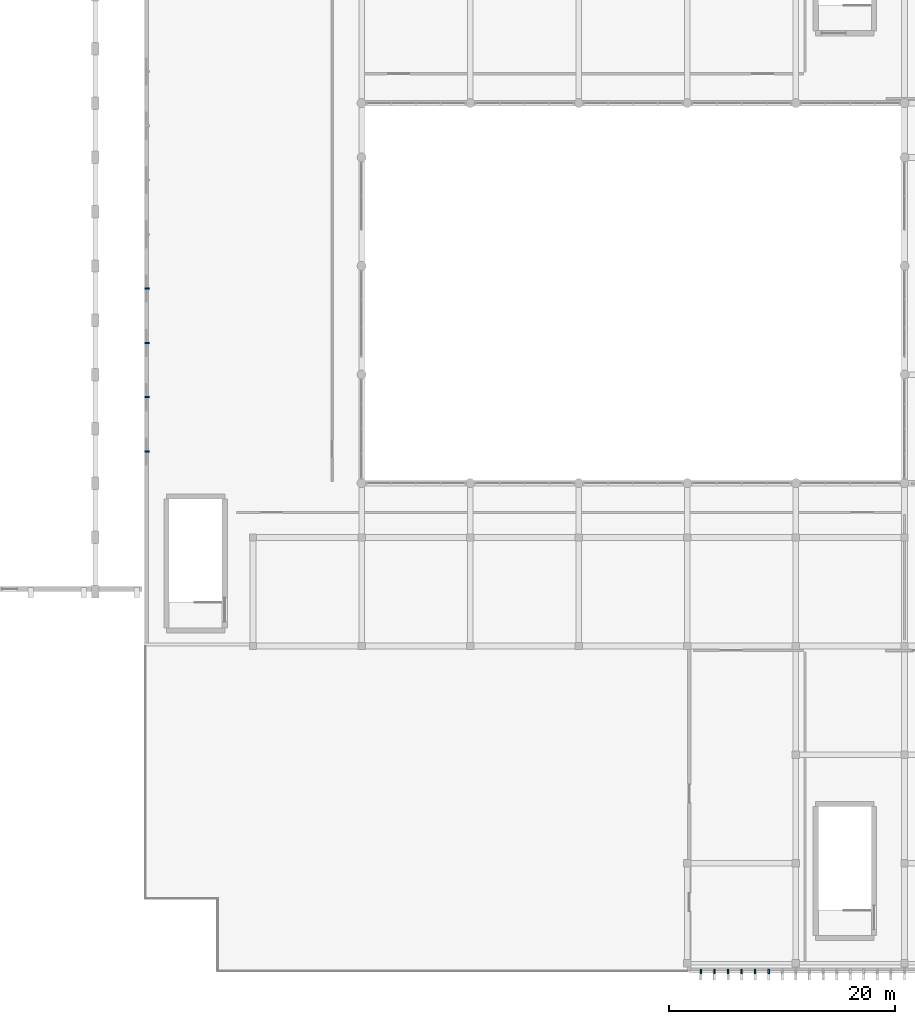
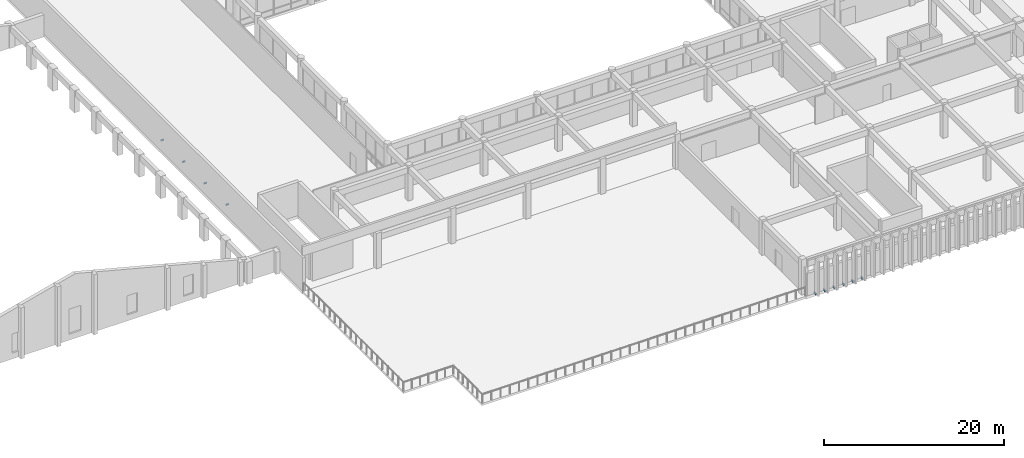
# One storey, part 84 of 101: 10 discrete accessories.
"""IFC4 building model written with IfcOpenShell, lengths in metres."""

from ifc_helpers import new_model, si_unit, direction, frame, origin, origin_2d, place, context, subcontext, project, spatial, rectangle, extrude, material, type_object, element, save


model = new_model("IFC4")

# Units and contexts
model_context = context("Model", 3, precision=1e-05, world=origin(), true_north=direction((0.0, 1.0)))
body_context = subcontext(model_context, "Body", "Model", "MODEL_VIEW")
ifc_project = project(units=[si_unit("LENGTHUNIT", "METRE"), si_unit("AREAUNIT", "SQUARE_METRE"), si_unit("VOLUMEUNIT", "CUBIC_METRE"), si_unit("PLANEANGLEUNIT", "RADIAN"), si_unit("MASSUNIT", "GRAM", prefix="KILO")], contexts=[model_context])

# Site, building, storey
site_placement = place(None, origin())
site = spatial("IfcSite", under=ifc_project, at=site_placement, CompositionType="ELEMENT")
building_placement = place(site_placement, origin())
building = spatial("IfcBuilding", under=site, at=building_placement, Name="Nakhvara Creek Congress Hotel", CompositionType="ELEMENT")
storey_placement = place(building_placement, frame((0.0, 0.0, 16.199951171875)))
storey = spatial("IfcBuildingStorey", under=building, at=storey_placement, Name="L03", CompositionType="ELEMENT", Elevation=16.199951171875)

# Discrete accessories
ifc_material = material(Name="Brushed stainless steel 316L", Category="steel")
discrete_accessory_type = type_object("IfcDiscreteAccessoryType", Name="ACC-BRK-SS316", PredefinedType="BRACKET", material=ifc_material)
for number, where, z_axis, x_axis, name in (
    (1, (106.800048828125, 0.02001953125, -0.10986328125), (0.0, 0.0, 1.0), (1.0, 0.0, 0.0), "Stainless Fin Bracket BK01-0296"),
    (2, (108.0, 0.02001953125, -0.10986328125), (0.0, 0.0, 1.0), (1.0, 0.0, 0.0), "Stainless Fin Bracket BK01-0297"),
    (3, (109.199951171875, 0.02001953125, -0.10986328125), (0.0, 0.0, 1.0), (1.0, 0.0, 0.0), "Stainless Fin Bracket BK01-0298"),
    (4, (110.39990234375, 0.02001953125, -0.10986328125), (0.0, 0.0, 1.0), (1.0, 0.0, 0.0), "Stainless Fin Bracket BK01-0299"),
    (5, (111.60009765625, 0.02001953125, -0.10986328125), (0.0, 0.0, 1.0), (1.0, 0.0, 0.0), "Stainless Fin Bracket BK01-0300"),
    (6, (112.800048828125, 0.02001953125, -0.10986328125), (0.0, 0.0, 1.0), (1.0, 0.0, 0.0), "Stainless Fin Bracket BK01-0301"),
    (7, (57.820068359375, 46.0, 1.2099609375), (0.0, 0.0, 1.0), (0.0, 1.0, 0.0), "Louvre Support Bracket 01"),
    (8, (57.820068359375, 50.800048828125, 1.2099609375), (0.0, 0.0, 1.0), (0.0, 1.0, 0.0), "Louvre Support Bracket 02"),
    (9, (57.820068359375, 55.60009765625, 1.2099609375), (0.0, 0.0, 1.0), (0.0, 1.0, 0.0), "Louvre Support Bracket 03"),
    (10, (57.820068359375, 60.39990234375, 1.2099609375), (0.0, 0.0, 1.0), (0.0, 1.0, 0.0), "Louvre Support Bracket 04"),
):
    element("IfcDiscreteAccessory", number, at=place(storey_placement, frame(where, z_axis=z_axis, x_axis=x_axis)), inside=storey, type_object=discrete_accessory_type, Name=name, PredefinedType="BRACKET", context=body_context, shape_type="SweptSolid", body=[
        extrude(rectangle(XDim=0.139892578125, YDim=0.360107421875, at=origin_2d()), origin(), (0.0, 0.0, 1.0), 0.179931640625),
    ])

save(model, "model.ifc")
